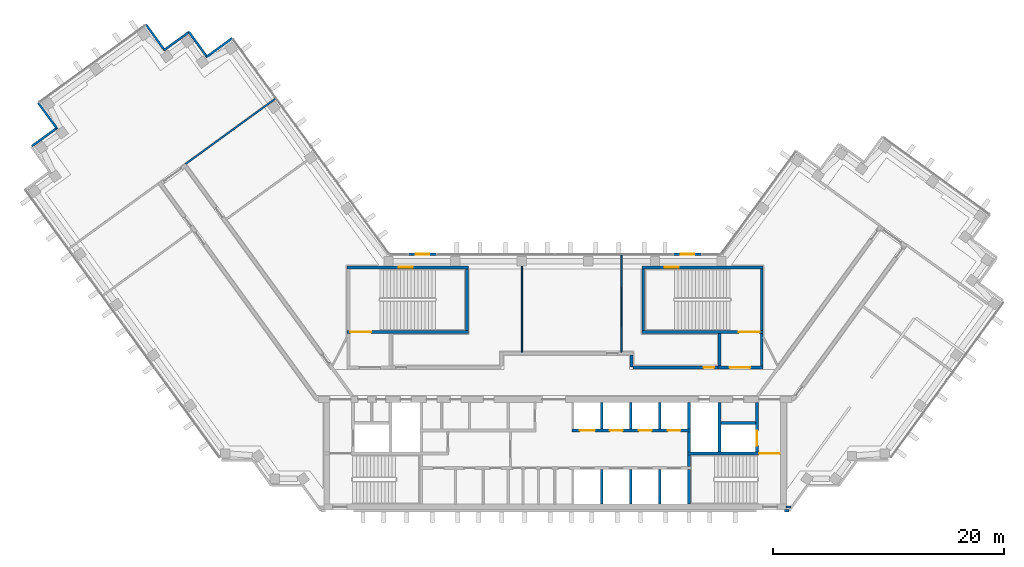
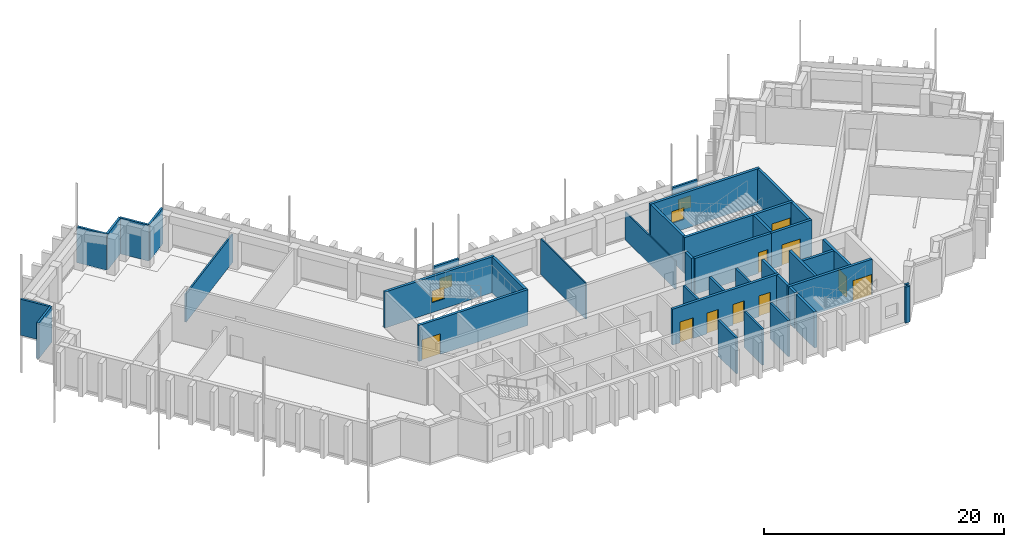
# One storey, part 9 of 12: 40 walls, 10 doors, 4 windows, 14 openings.
"""IFC4 building model written with IfcOpenShell, lengths in metres."""

from ifc_helpers import new_model, si_unit, direction, frame, frame_2d, origin, place, context, subcontext, project, spatial, rectangle, extrude, material, layer, layer_set, type_object, element, fill, save


model = new_model("IFC4")

# Units and contexts
model_context = context("Model", 3, precision=1e-05, world=origin(), true_north=direction((0.0, 1.0)))
body_context = subcontext(model_context, "Body", "Model", "MODEL_VIEW")
ifc_project = project(units=[si_unit("LENGTHUNIT", "METRE"), si_unit("AREAUNIT", "SQUARE_METRE"), si_unit("VOLUMEUNIT", "CUBIC_METRE"), si_unit("PLANEANGLEUNIT", "RADIAN"), si_unit("MASSUNIT", "GRAM", prefix="KILO")], contexts=[model_context])

# Site, building, storey
site_placement = place(None, origin())
site = spatial("IfcSite", under=ifc_project, at=site_placement, CompositionType="ELEMENT")
building_placement = place(site_placement, origin())
building = spatial("IfcBuilding", under=site, at=building_placement, Name="Quipu Civic Tower", CompositionType="ELEMENT")
storey_placement = place(building_placement, frame((0.0, 0.0, 210.0)))
storey = spatial("IfcBuildingStorey", under=building, at=storey_placement, Name="L49", CompositionType="ELEMENT", Elevation=210.0)

# Walls
ifc_material_1 = material(Name="Double gypsum plasterboard with mineral wool")
ifc_layer_1 = layer(ifc_material_1, 0.14990234375)
ifc_layer_set_1 = layer_set([ifc_layer_1], Name="Double gypsum plasterboard with mineral wool")
wall_type_1 = type_object("IfcWallType", Name="Acoustic partition 150 plasterboard", PredefinedType="PARTITIONING", material=ifc_layer_set_1)
wall_1_placement = place(storey_placement, frame((-24.226318359375, 24.531494140625, 0.0), z_axis=(0.0, 0.0, 1.0), x_axis=(-0.80898585166, -0.587828114175, 0.0)))
element("IfcWall", 1, at=wall_1_placement, inside=storey, type_object=wall_type_1, Name="Partition P04", PredefinedType="PARTITIONING", context=body_context, shape_type="SweptSolid", body=[
    extrude(rectangle(XDim=9.550048828125, YDim=0.14990234375, at=frame_2d((4.77490234375, 0.0))), origin(), (0.0, 0.0, 1.0), 2.85009765625),
])
ifc_material_2 = material(Name="Concrete C70/85", Category="concrete")
ifc_layer_2 = layer(ifc_material_2, 0.25)
ifc_layer_set_2 = layer_set([ifc_layer_2], Name="Concrete C70/85")
wall_type_2 = type_object("IfcWallType", Name="Core wall 250", PredefinedType="SHEAR", material=ifc_layer_set_2)
wall_2_placement = place(storey_placement, frame((11.574951171875, -10.5, 0.0), z_axis=(0.0, 0.0, 1.0), x_axis=(0.0, 1.0, 0.0)))
element("IfcWall", 2, at=wall_2_placement, inside=storey, type_object=wall_type_2, Name="Core wall", PredefinedType="SHEAR", context=body_context, shape_type="SweptSolid", body=[
    extrude(rectangle(XDim=3.0, YDim=0.25, at=frame_2d((1.5, 0.0))), origin(), (0.0, 0.0, 1.0), 3.64990234375),
])
wall_3_placement = place(storey_placement, frame((11.574951171875, -7.25, 0.0), z_axis=(0.0, 0.0, 1.0), x_axis=(0.0, 1.0, 0.0)))
element("IfcWall", 3, at=wall_3_placement, inside=storey, type_object=wall_type_2, Name="Core wall", PredefinedType="SHEAR", context=body_context, shape_type="SweptSolid", body=[
    extrude(rectangle(XDim=1.0, YDim=0.25, at=frame_2d((0.5, 0.0))), origin(), (0.0, 0.0, 1.0), 3.64990234375),
])

# Wall, opening, door
wall_4_placement = place(storey_placement, frame((19.5, -6.125, 0.0), z_axis=(0.0, 0.0, 1.0), x_axis=(-1.0, 0.0, 0.0)))
wall_4 = element("IfcWall", 4, at=wall_4_placement, inside=storey, type_object=wall_type_2, Name="Core wall", PredefinedType="SHEAR", context=body_context, shape_type="SweptSolid", body=[
    extrude(rectangle(XDim=8.050048828125, YDim=0.25, at=frame_2d((4.02490234375, 0.0))), origin(), (0.0, 0.0, 1.0), 3.64990234375),
])
opening_1_placement = place(wall_4_placement, frame((0.050048828125, 0.0, 0.0)))
opening_1 = element("IfcOpeningElement", 5, at=opening_1_placement, cuts=wall_4, Name="Opening CD-09", PredefinedType="OPENING", context=body_context, shape_type="SweptSolid", body=[
    extrude(rectangle(XDim=1.800048828125, YDim=2.10009765625, at=frame_2d((0.89990234375, 1.050048828125))), frame((0.0, 0.135009765625, 0.0), z_axis=(0.0, -1.0, 0.0), x_axis=(1.0, 0.0, 0.0)), (0.0, 0.0, 1.0), 0.27001953125),
])
ifc_material_3 = material(Name="Fire rated steel door", Category="steel")
door_type_1 = type_object("IfcDoorType", Name="Fire door FD90 double 1800 x 2100", OperationType="NOTDEFINED", PredefinedType="DOOR", material=ifc_material_3)
door_1_placement = place(opening_1_placement, origin())
door_1 = element("IfcDoor", 6, at=door_1_placement, inside=storey, type_object=door_type_1, Name="Door", OperationType="DOUBLE_DOOR_SINGLE_SWING", OverallHeight=2.10009765625, OverallWidth=1.800048828125, PredefinedType="DOOR", context=body_context, shape_type="SweptSolid", body=[
    extrude(rectangle(XDim=1.800048828125, YDim=2.10009765625, at=frame_2d((0.89990234375, 1.050048828125))), frame((0.0, 0.02490234375, 0.0), z_axis=(0.0, -1.0, 0.0), x_axis=(1.0, 0.0, 0.0)), (0.0, 0.0, 1.0), 0.050048828125),
])
fill(opening_1, door_1)

# Walls
wall_5_placement = place(storey_placement, frame((11.574951171875, -6.0, 0.0), z_axis=(0.0, 0.0, 1.0), x_axis=(0.0, 1.0, 0.0)))
element("IfcWall", 7, at=wall_5_placement, inside=storey, type_object=wall_type_2, Name="Core wall", PredefinedType="SHEAR", context=body_context, shape_type="SweptSolid", body=[
    extrude(rectangle(XDim=1.75, YDim=0.25, at=frame_2d((0.875, 0.0))), origin(), (0.0, 0.0, 1.0), 3.64990234375),
])
wall_6_placement = place(storey_placement, frame((14.22509765625, -6.0, 0.0), z_axis=(0.0, 0.0, 1.0), x_axis=(0.0, 1.0, 0.0)))
element("IfcWall", 8, at=wall_6_placement, inside=storey, type_object=wall_type_2, Name="Core wall", PredefinedType="SHEAR", context=body_context, shape_type="SweptSolid", body=[
    extrude(rectangle(XDim=4.300048828125, YDim=0.25, at=frame_2d((2.14990234375, 0.0))), origin(), (0.0, 0.0, 1.0), 3.64990234375),
])

# Wall, opening, door
wall_7_placement = place(storey_placement, frame((17.47509765625, -6.0, 0.0), z_axis=(0.0, 0.0, 1.0), x_axis=(0.0, 1.0, 0.0)))
wall_7 = element("IfcWall", 9, at=wall_7_placement, inside=storey, type_object=wall_type_2, Name="Core wall", PredefinedType="SHEAR", context=body_context, shape_type="SweptSolid", body=[
    extrude(rectangle(XDim=4.300048828125, YDim=0.25, at=frame_2d((2.14990234375, 0.0))), origin(), (0.0, 0.0, 1.0), 3.64990234375),
])
opening_2_placement = place(wall_7_placement, frame((0.550048828125, 0.0, 0.0)))
opening_2 = element("IfcOpeningElement", 10, at=opening_2_placement, cuts=wall_7, Name="Opening LD-FF2", PredefinedType="OPENING", context=body_context, shape_type="SweptSolid", body=[
    extrude(rectangle(XDim=1.300048828125, YDim=2.10009765625, at=frame_2d((0.64990234375, 1.050048828125))), frame((0.0, 0.135009765625, 0.0), z_axis=(0.0, -1.0, 0.0), x_axis=(1.0, 0.0, 0.0)), (0.0, 0.0, 1.0), 0.27001953125),
])
ifc_material_4 = material(Name="Stainless steel", Category="steel")
door_type_2 = type_object("IfcDoorType", Name="Lift landing door 1300 x 2100", OperationType="DOUBLE_DOOR_SLIDING", PredefinedType="DOOR", material=ifc_material_4)
door_2_placement = place(opening_2_placement, origin())
door_2 = element("IfcDoor", 11, at=door_2_placement, inside=storey, type_object=door_type_2, Name="Landing door FF2", OperationType="DOUBLE_DOOR_SLIDING", OverallHeight=2.10009765625, OverallWidth=1.300048828125, PredefinedType="DOOR", context=body_context, shape_type="SweptSolid", body=[
    extrude(rectangle(XDim=1.300048828125, YDim=2.10009765625, at=frame_2d((0.64990234375, 1.050048828125))), frame((0.0, 0.02490234375, 0.0), z_axis=(0.0, -1.0, 0.0), x_axis=(1.0, 0.0, 0.0)), (0.0, 0.0, 1.0), 0.050048828125),
])
fill(opening_2, door_2)

# Wall, openings, doors
wall_8_placement = place(storey_placement, frame((1.449951171875, -4.125, 0.0), z_axis=(0.0, 0.0, 1.0), x_axis=(1.0, 0.0, 0.0)))
wall_8 = element("IfcWall", 12, at=wall_8_placement, inside=storey, type_object=wall_type_2, Name="Core wall", PredefinedType="SHEAR", context=body_context, shape_type="SweptSolid", body=[
    extrude(rectangle(XDim=10.25, YDim=0.25, at=frame_2d((5.125, 0.0))), origin(), (0.0, 0.0, 1.0), 3.64990234375),
])
opening_3_placement = place(wall_8_placement, frame((0.699951171875, 0.0, 0.0)))
opening_3 = element("IfcOpeningElement", 13, at=opening_3_placement, cuts=wall_8, Name="Opening LD-FF3", PredefinedType="OPENING", context=body_context, shape_type="SweptSolid", body=[
    extrude(rectangle(XDim=1.300048828125, YDim=2.10009765625, at=frame_2d((0.64990234375, 1.050048828125))), frame((0.0, 0.135009765625, 0.0), z_axis=(0.0, -1.0, 0.0), x_axis=(1.0, 0.0, 0.0)), (0.0, 0.0, 1.0), 0.27001953125),
])
opening_4_placement = place(wall_8_placement, frame((3.300048828125, 0.0, 0.0)))
opening_4 = element("IfcOpeningElement", 14, at=opening_4_placement, cuts=wall_8, Name="Opening LD-ML5", PredefinedType="OPENING", context=body_context, shape_type="SweptSolid", body=[
    extrude(rectangle(XDim=1.10009765625, YDim=2.10009765625, at=frame_2d((0.550048828125, 1.050048828125))), frame((0.0, 0.135009765625, 0.0), z_axis=(0.0, -1.0, 0.0), x_axis=(1.0, 0.0, 0.0)), (0.0, 0.0, 1.0), 0.27001953125),
])
opening_5_placement = place(wall_8_placement, frame((5.800048828125, 0.0, 0.0)))
opening_5 = element("IfcOpeningElement", 15, at=opening_5_placement, cuts=wall_8, Name="Opening LD-ML6", PredefinedType="OPENING", context=body_context, shape_type="SweptSolid", body=[
    extrude(rectangle(XDim=1.10009765625, YDim=2.10009765625, at=frame_2d((0.550048828125, 1.050048828125))), frame((0.0, 0.135009765625, 0.0), z_axis=(0.0, -1.0, 0.0), x_axis=(1.0, 0.0, 0.0)), (0.0, 0.0, 1.0), 0.27001953125),
])
opening_6_placement = place(wall_8_placement, frame((8.300048828125, 0.0, 0.0)))
opening_6 = element("IfcOpeningElement", 16, at=opening_6_placement, cuts=wall_8, Name="Opening LD-ML7", PredefinedType="OPENING", context=body_context, shape_type="SweptSolid", body=[
    extrude(rectangle(XDim=1.10009765625, YDim=2.10009765625, at=frame_2d((0.550048828125, 1.050048828125))), frame((0.0, 0.135009765625, 0.0), z_axis=(0.0, -1.0, 0.0), x_axis=(1.0, 0.0, 0.0)), (0.0, 0.0, 1.0), 0.27001953125),
])
ifc_material_5 = material(Name="Stainless steel", Category="steel")
door_type_3 = type_object("IfcDoorType", Name="Lift landing door 1100 x 2100", OperationType="DOUBLE_DOOR_SLIDING", PredefinedType="DOOR", material=ifc_material_5)
door_3_placement = place(opening_4_placement, origin())
door_3 = element("IfcDoor", 17, at=door_3_placement, inside=storey, type_object=door_type_3, Name="Landing door ML5", OperationType="DOUBLE_DOOR_SLIDING", OverallHeight=2.10009765625, OverallWidth=1.10009765625, PredefinedType="DOOR", context=body_context, shape_type="SweptSolid", body=[
    extrude(rectangle(XDim=1.10009765625, YDim=2.10009765625, at=frame_2d((0.550048828125, 1.050048828125))), frame((0.0, 0.02490234375, 0.0), z_axis=(0.0, -1.0, 0.0), x_axis=(1.0, 0.0, 0.0)), (0.0, 0.0, 1.0), 0.050048828125),
])
fill(opening_4, door_3)
door_4_placement = place(opening_5_placement, origin())
door_4 = element("IfcDoor", 18, at=door_4_placement, inside=storey, type_object=door_type_3, Name="Landing door ML6", OperationType="DOUBLE_DOOR_SLIDING", OverallHeight=2.10009765625, OverallWidth=1.10009765625, PredefinedType="DOOR", context=body_context, shape_type="SweptSolid", body=[
    extrude(rectangle(XDim=1.10009765625, YDim=2.10009765625, at=frame_2d((0.550048828125, 1.050048828125))), frame((0.0, 0.02490234375, 0.0), z_axis=(0.0, -1.0, 0.0), x_axis=(1.0, 0.0, 0.0)), (0.0, 0.0, 1.0), 0.050048828125),
])
fill(opening_5, door_4)
door_5_placement = place(opening_6_placement, origin())
door_5 = element("IfcDoor", 19, at=door_5_placement, inside=storey, type_object=door_type_3, Name="Landing door ML7", OperationType="DOUBLE_DOOR_SLIDING", OverallHeight=2.10009765625, OverallWidth=1.10009765625, PredefinedType="DOOR", context=body_context, shape_type="SweptSolid", body=[
    extrude(rectangle(XDim=1.10009765625, YDim=2.10009765625, at=frame_2d((0.550048828125, 1.050048828125))), frame((0.0, 0.02490234375, 0.0), z_axis=(0.0, -1.0, 0.0), x_axis=(1.0, 0.0, 0.0)), (0.0, 0.0, 1.0), 0.050048828125),
])
fill(opening_6, door_5)
door_6_placement = place(opening_3_placement, origin())
door_6 = element("IfcDoor", 20, at=door_6_placement, inside=storey, type_object=door_type_2, Name="Landing door FF3", OperationType="DOUBLE_DOOR_SLIDING", OverallHeight=2.10009765625, OverallWidth=1.300048828125, PredefinedType="DOOR", context=body_context, shape_type="SweptSolid", body=[
    extrude(rectangle(XDim=1.300048828125, YDim=2.10009765625, at=frame_2d((0.64990234375, 1.050048828125))), frame((0.0, 0.02490234375, 0.0), z_axis=(0.0, -1.0, 0.0), x_axis=(1.0, 0.0, 0.0)), (0.0, 0.0, 1.0), 0.050048828125),
])
fill(opening_3, door_6)

# Walls
wall_9_placement = place(storey_placement, frame((11.574951171875, -4.0, 0.0), z_axis=(0.0, 0.0, 1.0), x_axis=(0.0, 1.0, 0.0)))
element("IfcWall", 21, at=wall_9_placement, inside=storey, type_object=wall_type_2, Name="Core wall", PredefinedType="SHEAR", context=body_context, shape_type="SweptSolid", body=[
    extrude(rectangle(XDim=2.300048828125, YDim=0.25, at=frame_2d((1.14990234375, 0.0))), origin(), (0.0, 0.0, 1.0), 3.64990234375),
])
wall_10_placement = place(storey_placement, frame((14.35009765625, -3.47509765625, 0.0), z_axis=(0.0, 0.0, 1.0), x_axis=(1.0, 0.0, 0.0)))
element("IfcWall", 22, at=wall_10_placement, inside=storey, type_object=wall_type_2, Name="Core wall", PredefinedType="SHEAR", context=body_context, shape_type="SweptSolid", body=[
    extrude(rectangle(XDim=3.0, YDim=0.25, at=frame_2d((1.5, 0.0))), origin(), (0.0, 0.0, 1.0), 3.64990234375),
])

# Wall, opening, door
wall_11_placement = place(storey_placement, frame((-18.0, 4.375, 0.0), z_axis=(0.0, 0.0, 1.0), x_axis=(1.0, 0.0, 0.0)))
wall_11 = element("IfcWall", 23, at=wall_11_placement, inside=storey, type_object=wall_type_2, Name="Core wall", PredefinedType="SHEAR", context=body_context, shape_type="SweptSolid", body=[
    extrude(rectangle(XDim=10.5, YDim=0.25, at=frame_2d((5.25, 0.0))), origin(), (0.0, 0.0, 1.0), 3.64990234375),
])
opening_7_placement = place(wall_11_placement, frame((0.300048828125, 0.0, 0.0)))
opening_7 = element("IfcOpeningElement", 24, at=opening_7_placement, cuts=wall_11, Name="Opening CD-25", PredefinedType="OPENING", context=body_context, shape_type="SweptSolid", body=[
    extrude(rectangle(XDim=1.800048828125, YDim=2.10009765625, at=frame_2d((0.89990234375, 1.050048828125))), frame((0.0, 0.135009765625, 0.0), z_axis=(0.0, -1.0, 0.0), x_axis=(1.0, 0.0, 0.0)), (0.0, 0.0, 1.0), 0.27001953125),
])
door_7_placement = place(opening_7_placement, origin())
door_7 = element("IfcDoor", 25, at=door_7_placement, inside=storey, type_object=door_type_1, Name="Door", OperationType="DOUBLE_DOOR_SINGLE_SWING", OverallHeight=2.10009765625, OverallWidth=1.800048828125, PredefinedType="DOOR", context=body_context, shape_type="SweptSolid", body=[
    extrude(rectangle(XDim=1.800048828125, YDim=2.10009765625, at=frame_2d((0.89990234375, 1.050048828125))), frame((0.0, 0.02490234375, 0.0), z_axis=(0.0, -1.0, 0.0), x_axis=(1.0, 0.0, 0.0)), (0.0, 0.0, 1.0), 0.050048828125),
])
fill(opening_7, door_7)

# Wall
wall_12_placement = place(storey_placement, frame((-7.625, 4.5, 0.0), z_axis=(0.0, 0.0, 1.0), x_axis=(0.0, 1.0, 0.0)))
element("IfcWall", 26, at=wall_12_placement, inside=storey, type_object=wall_type_2, Name="Core wall", PredefinedType="SHEAR", context=body_context, shape_type="SweptSolid", body=[
    extrude(rectangle(XDim=5.35009765625, YDim=0.25, at=frame_2d((2.675048828125, 0.0))), origin(), (0.0, 0.0, 1.0), 3.64990234375),
])

# Wall, opening, window
wall_13_placement = place(storey_placement, frame((-18.0, 9.97509765625, 0.0), z_axis=(0.0, 0.0, 1.0), x_axis=(1.0, 0.0, 0.0)))
wall_13 = element("IfcWall", 27, at=wall_13_placement, inside=storey, type_object=wall_type_2, Name="Core wall", PredefinedType="SHEAR", context=body_context, shape_type="SweptSolid", body=[
    extrude(rectangle(XDim=10.5, YDim=0.25, at=frame_2d((5.25, 0.0))), origin(), (0.0, 0.0, 1.0), 3.64990234375),
])
opening_8_placement = place(wall_13_placement, frame((4.5, 0.0, 1.0)))
opening_8 = element("IfcOpeningElement", 28, at=opening_8_placement, cuts=wall_13, Name="Opening SV-3", PredefinedType="OPENING", context=body_context, shape_type="SweptSolid", body=[
    extrude(rectangle(XDim=1.199951171875, YDim=1.199951171875, at=frame_2d((0.60009765625, 0.60009765625))), frame((0.0, 0.135009765625, 0.0), z_axis=(0.0, -1.0, 0.0), x_axis=(1.0, 0.0, 0.0)), (0.0, 0.0, 1.0), 0.27001953125),
])
ifc_material_6 = material(Name="Aluminium louvre", Category="aluminium")
window_type_1 = type_object("IfcWindowType", Name="Stair ventilation louvre 1200 x 1200", PartitioningType="SINGLE_PANEL", PredefinedType="WINDOW", material=ifc_material_6)
window_1_placement = place(opening_8_placement, origin())
window_1 = element("IfcWindow", 29, at=window_1_placement, inside=storey, type_object=window_type_1, Name="Stair ventilation opening", OverallHeight=1.199951171875, OverallWidth=1.199951171875, PartitioningType="SINGLE_PANEL", PredefinedType="WINDOW", context=body_context, shape_type="SweptSolid", body=[
    extrude(rectangle(XDim=1.199951171875, YDim=1.199951171875, at=frame_2d((0.60009765625, 0.60009765625))), frame((0.0, 0.030029296875, 0.0), z_axis=(0.0, -1.0, 0.0), x_axis=(1.0, 0.0, 0.0)), (0.0, 0.0, 1.0), 0.06005859375),
])
fill(opening_8, window_1)

# Wall, opening, door
wall_14_placement = place(storey_placement, frame((14.10009765625, 1.324951171875, 0.0), z_axis=(0.0, 0.0, 1.0), x_axis=(1.0, 0.0, 0.0)))
wall_14 = element("IfcWall", 30, at=wall_14_placement, inside=storey, type_object=wall_type_2, Name="Core wall", PredefinedType="SHEAR", context=body_context, shape_type="SweptSolid", body=[
    extrude(rectangle(XDim=3.89990234375, YDim=0.25, at=frame_2d((1.949951171875, 0.0))), origin(), (0.0, 0.0, 1.0), 3.64990234375),
])
opening_9_placement = place(wall_14_placement, frame((1.0, 0.0, 0.0)))
opening_9 = element("IfcOpeningElement", 31, at=opening_9_placement, cuts=wall_14, Name="Opening CD-26", PredefinedType="OPENING", context=body_context, shape_type="SweptSolid", body=[
    extrude(rectangle(XDim=1.800048828125, YDim=2.10009765625, at=frame_2d((0.89990234375, 1.050048828125))), frame((0.0, 0.135009765625, 0.0), z_axis=(0.0, -1.0, 0.0), x_axis=(1.0, 0.0, 0.0)), (0.0, 0.0, 1.0), 0.27001953125),
])
door_8_placement = place(opening_9_placement, origin())
door_8 = element("IfcDoor", 32, at=door_8_placement, inside=storey, type_object=door_type_1, Name="Lobby door", OperationType="DOUBLE_DOOR_SINGLE_SWING", OverallHeight=2.10009765625, OverallWidth=1.800048828125, PredefinedType="DOOR", context=body_context, shape_type="SweptSolid", body=[
    extrude(rectangle(XDim=1.800048828125, YDim=2.10009765625, at=frame_2d((0.89990234375, 1.050048828125))), frame((0.0, 0.02490234375, 0.0), z_axis=(0.0, -1.0, 0.0), x_axis=(1.0, 0.0, 0.0)), (0.0, 0.0, 1.0), 0.050048828125),
])
fill(opening_9, door_8)

# Walls
for number, where, z_axis, x_axis, name in (
    (33, (14.22509765625, 1.449951171875, 0.0), (0.0, 0.0, 1.0), (0.0, 1.0, 0.0), "Core wall"),
    (34, (17.875, 1.449951171875, 0.0), (0.0, 0.0, 1.0), (0.0, 1.0, 0.0), "Core wall"),
):
    element("IfcWall", number, at=place(storey_placement, frame(where, z_axis=z_axis, x_axis=x_axis)), inside=storey, type_object=wall_type_2, Name=name, PredefinedType="SHEAR", context=body_context, shape_type="SweptSolid", body=[
        extrude(rectangle(XDim=2.800048828125, YDim=0.25, at=frame_2d((1.39990234375, 0.0))), origin(), (0.0, 0.0, 1.0), 3.64990234375),
    ])

# Wall, opening, door
wall_15_placement = place(storey_placement, frame((7.5, 4.375, 0.0), z_axis=(0.0, 0.0, 1.0), x_axis=(1.0, 0.0, 0.0)))
wall_15 = element("IfcWall", 35, at=wall_15_placement, inside=storey, type_object=wall_type_2, Name="Core wall", PredefinedType="SHEAR", context=body_context, shape_type="SweptSolid", body=[
    extrude(rectangle(XDim=10.5, YDim=0.25, at=frame_2d((5.25, 0.0))), origin(), (0.0, 0.0, 1.0), 3.64990234375),
])
opening_10_placement = place(wall_15_placement, frame((8.39990234375, 0.0, 0.0)))
opening_10 = element("IfcOpeningElement", 36, at=opening_10_placement, cuts=wall_15, Name="Opening CD-27", PredefinedType="OPENING", context=body_context, shape_type="SweptSolid", body=[
    extrude(rectangle(XDim=1.800048828125, YDim=2.10009765625, at=frame_2d((0.89990234375, 1.050048828125))), frame((0.0, 0.135009765625, 0.0), z_axis=(0.0, -1.0, 0.0), x_axis=(1.0, 0.0, 0.0)), (0.0, 0.0, 1.0), 0.27001953125),
])
door_9_placement = place(opening_10_placement, origin())
door_9 = element("IfcDoor", 37, at=door_9_placement, inside=storey, type_object=door_type_1, Name="Door", OperationType="DOUBLE_DOOR_SINGLE_SWING", OverallHeight=2.10009765625, OverallWidth=1.800048828125, PredefinedType="DOOR", context=body_context, shape_type="SweptSolid", body=[
    extrude(rectangle(XDim=1.800048828125, YDim=2.10009765625, at=frame_2d((0.89990234375, 1.050048828125))), frame((0.0, 0.02490234375, 0.0), z_axis=(0.0, -1.0, 0.0), x_axis=(1.0, 0.0, 0.0)), (0.0, 0.0, 1.0), 0.050048828125),
])
fill(opening_10, door_9)

# Walls
for number, where, z_axis, x_axis, name in (
    (38, (7.625, 4.5, 0.0), (0.0, 0.0, 1.0), (0.0, 1.0, 0.0), "Core wall"),
    (39, (17.875, 4.5, 0.0), (0.0, 0.0, 1.0), (0.0, 1.0, 0.0), "Core wall"),
):
    element("IfcWall", number, at=place(storey_placement, frame(where, z_axis=z_axis, x_axis=x_axis)), inside=storey, type_object=wall_type_2, Name=name, PredefinedType="SHEAR", context=body_context, shape_type="SweptSolid", body=[
        extrude(rectangle(XDim=5.35009765625, YDim=0.25, at=frame_2d((2.675048828125, 0.0))), origin(), (0.0, 0.0, 1.0), 3.64990234375),
    ])

# Wall, opening, window
wall_16_placement = place(storey_placement, frame((7.5, 9.97509765625, 0.0), z_axis=(0.0, 0.0, 1.0), x_axis=(1.0, 0.0, 0.0)))
wall_16 = element("IfcWall", 40, at=wall_16_placement, inside=storey, type_object=wall_type_2, Name="Core wall", PredefinedType="SHEAR", context=body_context, shape_type="SweptSolid", body=[
    extrude(rectangle(XDim=10.5, YDim=0.25, at=frame_2d((5.25, 0.0))), origin(), (0.0, 0.0, 1.0), 3.64990234375),
])
opening_11_placement = place(wall_16_placement, frame((2.0, 0.0, 1.0)))
opening_11 = element("IfcOpeningElement", 41, at=opening_11_placement, cuts=wall_16, Name="Opening SV-4", PredefinedType="OPENING", context=body_context, shape_type="SweptSolid", body=[
    extrude(rectangle(XDim=1.199951171875, YDim=1.199951171875, at=frame_2d((0.60009765625, 0.60009765625))), frame((0.0, 0.135009765625, 0.0), z_axis=(0.0, -1.0, 0.0), x_axis=(1.0, 0.0, 0.0)), (0.0, 0.0, 1.0), 0.27001953125),
])
window_2_placement = place(opening_11_placement, origin())
window_2 = element("IfcWindow", 42, at=window_2_placement, inside=storey, type_object=window_type_1, Name="Stair ventilation opening", OverallHeight=1.199951171875, OverallWidth=1.199951171875, PartitioningType="SINGLE_PANEL", PredefinedType="WINDOW", context=body_context, shape_type="SweptSolid", body=[
    extrude(rectangle(XDim=1.199951171875, YDim=1.199951171875, at=frame_2d((0.60009765625, 0.60009765625))), frame((0.0, 0.030029296875, 0.0), z_axis=(0.0, -1.0, 0.0), x_axis=(1.0, 0.0, 0.0)), (0.0, 0.0, 1.0), 0.06005859375),
])
fill(opening_11, window_2)

# Wall
ifc_material_7 = material(Name="Concrete C50/60", Category="concrete")
ifc_layer_3 = layer(ifc_material_7, 0.25)
ifc_layer_set_3 = layer_set([ifc_layer_3], Name="Concrete C50/60")
wall_type_3 = type_object("IfcWallType", Name="Corridor wall 250 concrete", PredefinedType="SOLIDWALL", material=ifc_layer_set_3)
wall_17_placement = place(storey_placement, frame((6.625, 2.39990234375, 0.0), z_axis=(0.0, 0.0, 1.0), x_axis=(0.0, -1.0, 0.0)))
element("IfcWall", 43, at=wall_17_placement, inside=storey, type_object=wall_type_3, Name="Corridor wall C10", PredefinedType="SOLIDWALL", context=body_context, shape_type="SweptSolid", body=[
    extrude(rectangle(XDim=1.041259765625, YDim=0.25, at=frame_2d((0.5205078125, 0.0))), origin(), (0.0, 0.0, 1.0), 3.64990234375),
])

# Wall, opening, door
wall_18_placement = place(storey_placement, frame((6.753662109375, 1.324951171875, 0.0), z_axis=(0.0, 0.0, 1.0), x_axis=(1.0, 0.0, 0.0)))
wall_18 = element("IfcWall", 44, at=wall_18_placement, inside=storey, type_object=wall_type_3, Name="Corridor wall C11", PredefinedType="SOLIDWALL", context=body_context, shape_type="SweptSolid", body=[
    extrude(rectangle(XDim=7.33642578125, YDim=0.25, at=frame_2d((3.668212890625, 0.0))), origin(), (0.0, 0.0, 1.0), 3.64990234375),
])
opening_12_placement = place(wall_18_placement, frame((6.09619140625, 0.0, 0.0)))
opening_12 = element("IfcOpeningElement", 45, at=opening_12_placement, cuts=wall_18, Name="Opening D007", PredefinedType="OPENING", context=body_context, shape_type="SweptSolid", body=[
    extrude(rectangle(XDim=0.89990234375, YDim=2.10009765625, at=frame_2d((0.449951171875, 1.050048828125))), frame((0.0, 0.135009765625, 0.0), z_axis=(0.0, -1.0, 0.0), x_axis=(1.0, 0.0, 0.0)), (0.0, 0.0, 1.0), 0.27001953125),
])
ifc_material_8 = material(Name="Fire rated timber door set with metal frame", Category="wood")
door_type_4 = type_object("IfcDoorType", Name="Single door 900 x 2100 FD60", OperationType="NOTDEFINED", PredefinedType="DOOR", material=ifc_material_8)
door_10_placement = place(opening_12_placement, origin())
door_10 = element("IfcDoor", 46, at=door_10_placement, inside=storey, type_object=door_type_4, Name="Door D007", OperationType="SINGLE_SWING_RIGHT", OverallHeight=2.10009765625, OverallWidth=0.89990234375, PredefinedType="DOOR", context=body_context, shape_type="SweptSolid", body=[
    extrude(rectangle(XDim=0.89990234375, YDim=2.10009765625, at=frame_2d((0.449951171875, 1.050048828125))), frame((0.0, 0.02490234375, 0.0), z_axis=(0.0, -1.0, 0.0), x_axis=(1.0, 0.0, 0.0)), (0.0, 0.0, 1.0), 0.050048828125),
])
fill(opening_12, door_10)

# Walls
ifc_material_9 = material(Name="Gypsum plasterboard on light gauge framing")
ifc_layer_4 = layer(ifc_material_9, 0.1201171875)
ifc_layer_set_4 = layer_set([ifc_layer_4], Name="Gypsum plasterboard on light gauge framing")
wall_type_4 = type_object("IfcWallType", Name="Partition 120 plasterboard", PredefinedType="PARTITIONING", material=ifc_layer_set_4)
wall_19_placement = place(storey_placement, frame((-2.85888671875, 10.094970703125, 0.0), z_axis=(0.0, 0.0, 1.0), x_axis=(0.0, -1.0, 0.0)))
element("IfcWall", 47, at=wall_19_placement, inside=storey, type_object=wall_type_4, Name="Partition P01", PredefinedType="PARTITIONING", context=body_context, shape_type="SweptSolid", body=[
    extrude(rectangle(XDim=7.445068359375, YDim=0.1201171875, at=frame_2d((3.72265625, 0.0))), origin(), (0.0, 0.0, 1.0), 3.64990234375),
])
wall_20_placement = place(storey_placement, frame((5.758056640625, 2.64990234375, 0.0), z_axis=(0.0, 0.0, 1.0), x_axis=(-0.002748366908, 0.999996223233, 0.0)))
element("IfcWall", 48, at=wall_20_placement, inside=storey, type_object=wall_type_4, Name="Partition P02", PredefinedType="PARTITIONING", context=body_context, shape_type="SweptSolid", body=[
    extrude(rectangle(XDim=8.35009765625, YDim=0.1201171875, at=frame_2d((4.175048828125, 0.0))), origin(), (0.0, 0.0, 1.0), 2.85009765625),
])
ifc_material_10 = material(Name="Precast concrete C40/50", Category="concrete")
wall_type_5 = type_object("IfcWallType", Name="Precast cladding wall", PredefinedType="SOLIDWALL", material=ifc_material_10)
for number, where, z_axis, x_axis, name in (
    (49, (-27.92138671875, 29.787109375, 0.0), (0.0, 0.0, 1.0), (-0.809033161865, -0.587762999008, 0.0), "Precast cladding wall L49 P05"),
    (50, (-30.08349609375, 28.149169921875, 0.0), (0.0, 0.0, 1.0), (-0.587762999008, 0.809033161865, 0.0), "Precast cladding wall L49 P06"),
    (51, (-31.653564453125, 30.330810546875, 0.0), (0.0, 0.0, 1.0), (-0.809033161865, -0.587762999008, 0.0), "Precast cladding wall L49 P07"),
    (52, (-33.80078125, 28.785888671875, 0.0), (0.0, 0.0, 1.0), (-0.587762999008, 0.809033161865, 0.0), "Precast cladding wall L49 P08"),
    (53, (-44.699462890625, 24.20458984375, 0.0), (0.0, 0.0, 1.0), (0.587762999008, -0.809033161865, 0.0), "Precast cladding wall L49 P10"),
    (54, (-43.060791015625, 22.04296875, 0.0), (0.0, 0.0, 1.0), (-0.809033161865, -0.587762999008, 0.0), "Precast cladding wall L49 P11"),
):
    element("IfcWall", number, at=place(storey_placement, frame(where, z_axis=z_axis, x_axis=x_axis)), inside=storey, type_object=wall_type_5, Name=name, PredefinedType="SOLIDWALL", context=body_context, shape_type="SweptSolid", body=[
        extrude(rectangle(XDim=2.699951171875, YDim=0.199951171875, at=frame_2d((1.35009765625, 0.0))), origin(), (0.0, 0.0, 1.0), 3.64990234375),
    ])
wall_21_placement = place(storey_placement, frame((19.85009765625, -11.087890625, 0.0), z_axis=(0.0, 0.0, 1.0), x_axis=(1.0, 0.0, 0.0)))
element("IfcWall", 55, at=wall_21_placement, inside=storey, type_object=wall_type_5, Name="Precast cladding wall L49 P22", PredefinedType="SOLIDWALL", context=body_context, shape_type="SweptSolid", body=[
    extrude(rectangle(XDim=0.40576171875, YDim=0.199951171875, at=frame_2d((0.202880859375, 0.0))), origin(), (0.0, 0.0, 1.0), 3.64990234375),
])

# Wall, opening, window
wall_22_placement = place(storey_placement, frame((12.655029296875, 11.10009765625, 0.0), z_axis=(0.0, 0.0, 1.0), x_axis=(-1.0, 0.0, 0.0)))
wall_22 = element("IfcWall", 56, at=wall_22_placement, inside=storey, type_object=wall_type_5, Name="Vent surround SF-L48-2", PredefinedType="SOLIDWALL", context=body_context, shape_type="SweptSolid", body=[
    extrude(rectangle(XDim=2.3916015625, YDim=0.199951171875, at=frame_2d((1.19580078125, 0.0))), origin(), (0.0, 0.0, 1.0), 3.64990234375),
])
opening_13_placement = place(wall_22_placement, frame((0.595703125, 0.0, 1.0)))
opening_13 = element("IfcOpeningElement", 57, at=opening_13_placement, cuts=wall_22, Name="Opening SF-L48-2", PredefinedType="OPENING", context=body_context, shape_type="SweptSolid", body=[
    extrude(rectangle(XDim=1.199951171875, YDim=1.199951171875, at=frame_2d((0.60009765625, 0.60009765625))), frame((0.0, 0.10986328125, 0.0), z_axis=(0.0, -1.0, 0.0), x_axis=(1.0, 0.0, 0.0)), (0.0, 0.0, 1.0), 0.219970703125),
])
ifc_material_11 = material(Name="Anodised aluminium louvre", Category="aluminium")
window_type_2 = type_object("IfcWindowType", Name="Stair vent louvre window P3", PartitioningType="SINGLE_PANEL", PredefinedType="WINDOW", material=ifc_material_11)
window_3_placement = place(opening_13_placement, origin())
window_3 = element("IfcWindow", 58, at=window_3_placement, inside=storey, type_object=window_type_2, Name="Stair vent louvre SF-L48-2", OverallHeight=1.199951171875, OverallWidth=1.199951171875, PartitioningType="SINGLE_PANEL", PredefinedType="WINDOW", context=body_context, shape_type="SweptSolid", body=[
    extrude(rectangle(XDim=1.199951171875, YDim=1.199951171875, at=frame_2d((0.60009765625, 0.60009765625))), frame((0.0, 0.030029296875, 0.0), z_axis=(0.0, -1.0, 0.0), x_axis=(1.0, 0.0, 0.0)), (0.0, 0.0, 1.0), 0.06005859375),
])
fill(opening_13, window_3)

wall_23_placement = place(storey_placement, frame((-10.263427734375, 11.10009765625, 0.0), z_axis=(0.0, 0.0, 1.0), x_axis=(-1.0, 0.0, 0.0)))
wall_23 = element("IfcWall", 59, at=wall_23_placement, inside=storey, type_object=wall_type_5, Name="Vent surround SF-L48-1", PredefinedType="SOLIDWALL", context=body_context, shape_type="SweptSolid", body=[
    extrude(rectangle(XDim=2.3916015625, YDim=0.199951171875, at=frame_2d((1.19580078125, 0.0))), origin(), (0.0, 0.0, 1.0), 3.64990234375),
])
opening_14_placement = place(wall_23_placement, frame((0.595703125, 0.0, 1.0)))
opening_14 = element("IfcOpeningElement", 60, at=opening_14_placement, cuts=wall_23, Name="Opening SF-L48-1", PredefinedType="OPENING", context=body_context, shape_type="SweptSolid", body=[
    extrude(rectangle(XDim=1.199951171875, YDim=1.199951171875, at=frame_2d((0.60009765625, 0.60009765625))), frame((0.0, 0.10986328125, 0.0), z_axis=(0.0, -1.0, 0.0), x_axis=(1.0, 0.0, 0.0)), (0.0, 0.0, 1.0), 0.219970703125),
])
window_4_placement = place(opening_14_placement, origin())
window_4 = element("IfcWindow", 61, at=window_4_placement, inside=storey, type_object=window_type_2, Name="Stair vent louvre SF-L48-1", OverallHeight=1.199951171875, OverallWidth=1.199951171875, PartitioningType="SINGLE_PANEL", PredefinedType="WINDOW", context=body_context, shape_type="SweptSolid", body=[
    extrude(rectangle(XDim=1.199951171875, YDim=1.199951171875, at=frame_2d((0.60009765625, 0.60009765625))), frame((0.0, 0.030029296875, 0.0), z_axis=(0.0, -1.0, 0.0), x_axis=(1.0, 0.0, 0.0)), (0.0, 0.0, 1.0), 0.06005859375),
])
fill(opening_14, window_4)

# Walls
wall_24_placement = place(storey_placement, frame((19.97998046875, -10.75, 0.0), z_axis=(0.0, 0.0, 1.0), x_axis=(1.0, 0.0, 0.0)))
element("IfcWall", 62, at=wall_24_placement, inside=storey, type_object=wall_type_5, Name="Precast cladding return L49 E", PredefinedType="SOLIDWALL", context=body_context, shape_type="SweptSolid", body=[
    extrude(rectangle(XDim=0.41650390625, YDim=0.199951171875, at=frame_2d((0.208251953125, 0.0))), origin(), (0.0, 0.0, 1.0), 3.64990234375),
])
ifc_material_12 = material(Name="Concrete C40/50", Category="concrete")
ifc_layer_5 = layer(ifc_material_12, 0.199951171875)
ifc_layer_set_5 = layer_set([ifc_layer_5], Name="Concrete C40/50")
wall_type_6 = type_object("IfcWallType", Name="Shaft wall 200", PredefinedType="SOLIDWALL", material=ifc_layer_set_5)
for number, where, z_axis, x_axis, name in (
    (63, (4.050048828125, -10.5, 0.0), (0.0, 0.0, 1.0), (0.0, 1.0, 0.0), "Shaft wall"),
    (64, (6.550048828125, -10.5, 0.0), (0.0, 0.0, 1.0), (0.0, 1.0, 0.0), "Shaft wall"),
    (65, (9.050048828125, -10.5, 0.0), (0.0, 0.0, 1.0), (0.0, 1.0, 0.0), "Shaft wall"),
):
    element("IfcWall", number, at=place(storey_placement, frame(where, z_axis=z_axis, x_axis=x_axis)), inside=storey, type_object=wall_type_6, Name=name, PredefinedType="SOLIDWALL", context=body_context, shape_type="SweptSolid", body=[
        extrude(rectangle(XDim=3.0, YDim=0.199951171875, at=frame_2d((1.5, 0.0))), origin(), (0.0, 0.0, 1.0), 3.64990234375),
    ])
for number, where, z_axis, x_axis, name in (
    (66, (4.050048828125, -4.0, 0.0), (0.0, 0.0, 1.0), (0.0, 1.0, 0.0), "Shaft wall"),
    (67, (6.550048828125, -4.0, 0.0), (0.0, 0.0, 1.0), (0.0, 1.0, 0.0), "Shaft wall"),
    (68, (9.050048828125, -4.0, 0.0), (0.0, 0.0, 1.0), (0.0, 1.0, 0.0), "Shaft wall"),
):
    element("IfcWall", number, at=place(storey_placement, frame(where, z_axis=z_axis, x_axis=x_axis)), inside=storey, type_object=wall_type_6, Name=name, PredefinedType="SOLIDWALL", context=body_context, shape_type="SweptSolid", body=[
        extrude(rectangle(XDim=2.300048828125, YDim=0.199951171875, at=frame_2d((1.14990234375, 0.0))), origin(), (0.0, 0.0, 1.0), 3.64990234375),
    ])

save(model, "model.ifc")
